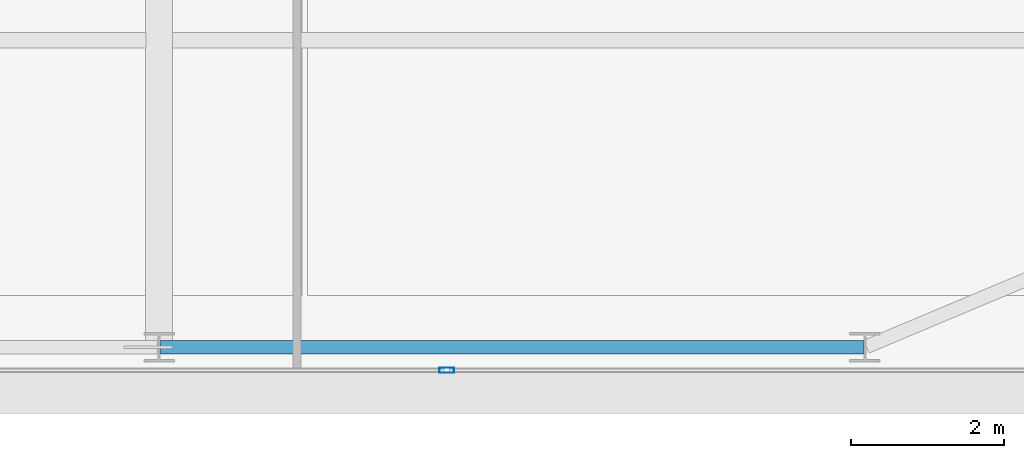
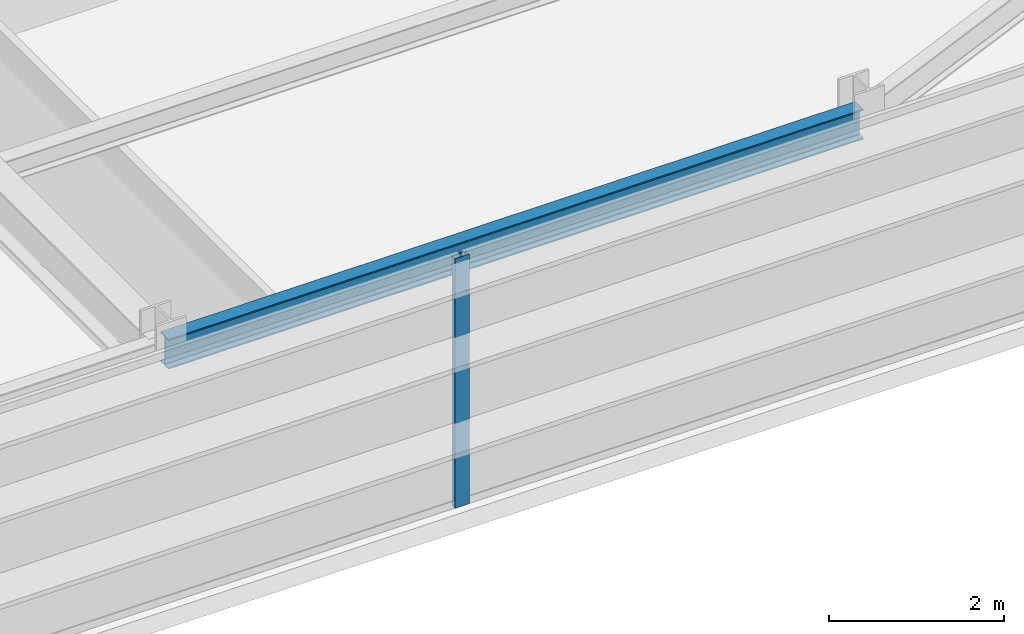
# One storey, part 12 of 33: 1 beam, 1 member, 1 element without a shape of its own.
"""IFC4 building model written with IfcOpenShell, lengths in metres."""

from ifc_helpers import new_model, si_unit, direction, frame, origin, origin_2d, place, context, subcontext, project, spatial, hollow_rectangle, i_section, extrude, source, transform, mapped, material, layer, layer_set, material_profile, profile_set, type_object, type_shapes, element, aggregate, save


model = new_model("IFC4")

# Units and contexts
model_context = context("Model", 3, precision=1e-05, world=origin(), true_north=direction((0.0, 1.0)))
body_context = subcontext(model_context, "Body", "Model", "MODEL_VIEW")
ifc_project = project(units=[si_unit("LENGTHUNIT", "METRE"), si_unit("AREAUNIT", "SQUARE_METRE"), si_unit("VOLUMEUNIT", "CUBIC_METRE"), si_unit("PLANEANGLEUNIT", "RADIAN"), si_unit("MASSUNIT", "GRAM", prefix="KILO")], contexts=[model_context])

# Site, building, storey
site_placement = place(None, origin())
site = spatial("IfcSite", under=ifc_project, at=site_placement, CompositionType="ELEMENT")
building_placement = place(site_placement, origin())
building = spatial("IfcBuilding", under=site, at=building_placement, Name="Varnel Quay Broadcast Tower", CompositionType="ELEMENT")
storey_placement = place(building_placement, frame((0.0, 0.0, 137.199951171875)))
storey = spatial("IfcBuildingStorey", under=building, at=storey_placement, Name="L33", CompositionType="ELEMENT", Elevation=137.199951171875)

# Beam
ifc_material_1 = material(Name="Structural Steel CSA G40.21 350W", Category="steel")
ifc_material_profile_1 = material_profile(ifc_material_1, i_section(OverallWidth=0.180908203125, OverallDepth=0.4169921875, WebThickness=0.010986328125, FlangeThickness=0.018310546875, FilletRadius=0.011962890625, at=origin_2d()), Name="W410X85")
ifc_profile_set_1 = profile_set([ifc_material_profile_1], Name="Structural Steel CSA G40.21 350W")
beam_type = type_object("IfcBeamType", Name="Beam_W410X85", PredefinedType="SPANDREL", material=ifc_profile_set_1)
shared_shape_1 = source(origin(), body_context, "Body", "SweptSolid", [
    extrude(i_section(OverallWidth=0.180908203125, OverallDepth=0.4169921875, WebThickness=0.010986328125, FlangeThickness=0.018310546875, FilletRadius=0.011962890625, at=origin_2d()), origin(), (0.0, 0.0, 1.0), 9.159912109375),
])
type_shapes(beam_type, [shared_shape_1])
beam_placement = place(storey_placement, frame((43.219970703125, 4.64990234375, 3.271484375), z_axis=(1.0, 0.0, 0.0), x_axis=(0.0, 1.0, 0.0)))
element("IfcBeam", 1, at=beam_placement, inside=storey, type_object=beam_type, Name="L33 South Spandrel TC-S4-TC-S5", PredefinedType="SPANDREL", context=body_context, shape_type="MappedRepresentation", body=[
    mapped(shared_shape_1, transform((0.0, 0.0, 0.0), x_axis=(1.0, 0.0, 0.0), y_axis=(0.0, 1.0, 0.0), z_axis=(0.0, 0.0, 1.0), scale=1.0)),
])

# Curtain wall, member
ifc_material_2 = material(Name="Anodised Bronze Aluminium 6063-T6", Category="aluminium")
ifc_layer = layer(ifc_material_2, 0.18994140625, Name="Anodised Bronze Aluminium 6063-T6")
ifc_layer_set = layer_set([ifc_layer], Name="Anodised Bronze Aluminium 6063-T6")
curtain_wall_type = type_object("IfcCurtainWallType", Name="CW_LowerTower", PredefinedType="NOTDEFINED", material=ifc_layer_set)
curtain_wall_placement = place(storey_placement, origin())
curtain_wall = element("IfcCurtainWall", 2, at=curtain_wall_placement, inside=storey, type_object=curtain_wall_type, Name="L33 South Unitised Curtain Wall 1", PredefinedType="NOTDEFINED")
ifc_material_profile_2 = material_profile(ifc_material_2, hollow_rectangle(XDim=0.070068359375, YDim=0.18994140625, WallThickness=0.00390625, at=origin_2d()), Name="ALU70X190X4")
ifc_profile_set_2 = profile_set([ifc_material_profile_2], Name="Anodised Bronze Aluminium 6063-T6")
member_type = type_object("IfcMemberType", Name="Mull_CWS-02", PredefinedType="MULLION", material=ifc_profile_set_2)
shared_shape_2 = source(origin(), body_context, "Body", "SweptSolid", [
    extrude(hollow_rectangle(XDim=0.070068359375, YDim=0.18994140625, WallThickness=0.00390625, at=origin_2d()), origin(), (0.0, 0.0, 1.0), 3.47998046875),
])
type_shapes(member_type, [shared_shape_2])
member_placement = place(storey_placement, frame((46.949951171875, 4.35009765625, 0.0), z_axis=(0.0, 0.0, 1.0), x_axis=(0.0, 1.0, 0.0)))
member = element("IfcMember", 3, at=member_placement, type_object=member_type, Name="CWS-02 mullion 4", PredefinedType="MULLION", context=body_context, shape_type="MappedRepresentation", body=[
    mapped(shared_shape_2, transform((0.0, 0.0, 0.0), x_axis=(1.0, 0.0, 0.0), y_axis=(0.0, 1.0, 0.0), z_axis=(0.0, 0.0, 1.0), scale=1.0)),
])
aggregate(curtain_wall, [member])

save(model, "model.ifc")
